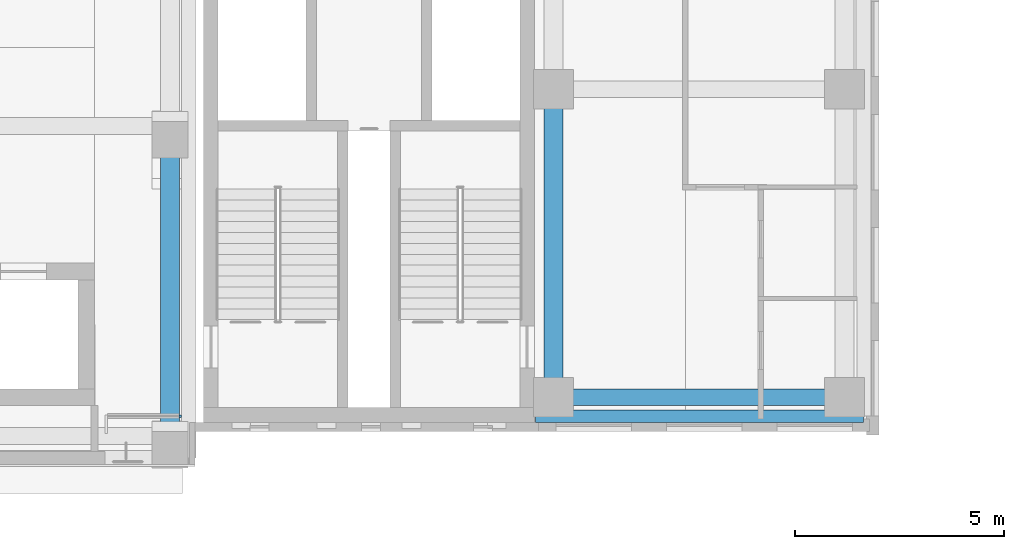
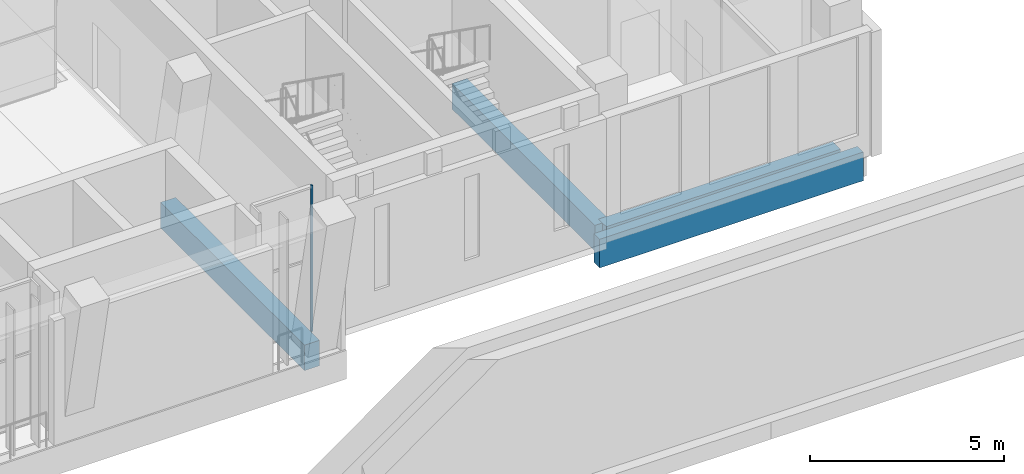
# One storey, part 16 of 92: 4 beams, 1 member, 1 element without a shape of its own.
"""IFC4 building model written with IfcOpenShell, lengths in metres."""

from ifc_helpers import new_model, si_unit, direction, frame, origin, origin_2d, place, context, subcontext, project, spatial, rectangle, extrude, material, material_profile, profile_set, type_object, element, aggregate, save


model = new_model("IFC4")

# Units and contexts
model_context = context("Model", 3, precision=1e-05, world=origin(), true_north=direction((0.0, 1.0)))
body_context = subcontext(model_context, "Body", "Model", "MODEL_VIEW")
ifc_project = project(units=[si_unit("LENGTHUNIT", "METRE"), si_unit("AREAUNIT", "SQUARE_METRE"), si_unit("VOLUMEUNIT", "CUBIC_METRE"), si_unit("PLANEANGLEUNIT", "RADIAN"), si_unit("MASSUNIT", "GRAM", prefix="KILO")], contexts=[model_context])

# Site, building, storey
site_placement = place(None, origin())
site = spatial("IfcSite", under=ifc_project, at=site_placement, CompositionType="ELEMENT")
building_placement = place(site_placement, origin())
building = spatial("IfcBuilding", under=site, at=building_placement, Name="Lantern Court Media Centre", CompositionType="ELEMENT")
storey_placement = place(building_placement, frame((0.0, 0.0, 4.800048828125)))
storey = spatial("IfcBuildingStorey", under=building, at=storey_placement, Name="L01", CompositionType="ELEMENT", Elevation=4.800048828125)

# Curtain wall, member
ifc_material_1 = material(Name="Curtain wall bay 3000")
curtain_wall_type = type_object("IfcCurtainWallType", Name="Curtain wall bay 3000", PredefinedType="NOTDEFINED", material=ifc_material_1)
curtain_wall_placement = place(storey_placement, origin())
curtain_wall = element("IfcCurtainWall", 1, at=curtain_wall_placement, inside=storey, type_object=curtain_wall_type, Name="Curtain wall S outer L01", PredefinedType="NOTDEFINED")
ifc_material_2 = material(Name="Anodised aluminium", Category="aluminium")
ifc_material_profile_1 = material_profile(ifc_material_2, rectangle(XDim=0.06005859375, YDim=0.06005859375, at=origin_2d()), Name="AL 60x60")
ifc_profile_set_1 = profile_set([ifc_material_profile_1], Name="Anodised aluminium")
member_type = type_object("IfcMemberType", Name="Curtain wall mullion 60x60", PredefinedType="MULLION", material=ifc_profile_set_1)
member_placement = place(storey_placement, frame((79.550048828125, 48.14990234375, 0.0), z_axis=(0.0, 0.0, 1.0), x_axis=(0.0, 1.0, 0.0)))
member = element("IfcMember", 2, at=member_placement, type_object=member_type, Name="CW1 mullion 2", PredefinedType="MULLION", context=body_context, shape_type="SweptSolid", body=[
    extrude(rectangle(XDim=0.06005859375, YDim=0.06005859375, at=origin_2d()), origin(), (0.0, 0.0, 1.0), 4.579833984375),
])
aggregate(curtain_wall, [member])

# Beams
ifc_material_3 = material(Name="Concrete C35", Category="concrete")
ifc_material_profile_2 = material_profile(ifc_material_3, rectangle(XDim=0.300048828125, YDim=0.89990234375, at=origin_2d()), Name="RC 300x900")
ifc_profile_set_2 = profile_set([ifc_material_profile_2], Name="Concrete C35")
beam_type_1 = type_object("IfcBeamType", Name="RC BEAM 300x900", PredefinedType="BEAM", material=ifc_profile_set_2)
beam_1_placement = place(storey_placement, frame((88.02001953125, 48.14990234375, -0.449951171875), z_axis=(1.0, 0.0, 0.0), x_axis=(0.0, 1.0, 0.0)))
element("IfcBeam", 3, at=beam_1_placement, inside=storey, type_object=beam_type_1, Name="EB-SE-L01-S", PredefinedType="BEAM", context=body_context, shape_type="SweptSolid", body=[
    extrude(rectangle(XDim=0.300048828125, YDim=0.89990234375, at=origin_2d()), origin(), (0.0, 0.0, 1.0), 7.830078125),
])
ifc_material_profile_3 = material_profile(ifc_material_3, rectangle(XDim=0.39990234375, YDim=0.800048828125, at=origin_2d()), Name="RC 400x800")
ifc_profile_set_3 = profile_set([ifc_material_profile_3], Name="Concrete C35")
beam_type_2 = type_object("IfcBeamType", Name="RC BEAM 400x800", PredefinedType="BEAM", material=ifc_profile_set_3)
beam_2_placement = place(storey_placement, frame((88.449951171875, 48.60009765625, -0.400146484375), z_axis=(1.0, 0.0, 0.0), x_axis=(0.0, 1.0, 0.0)))
element("IfcBeam", 4, at=beam_2_placement, inside=storey, type_object=beam_type_2, Name="BB-SE-L01-Y0-48", PredefinedType="BEAM", context=body_context, shape_type="SweptSolid", body=[
    extrude(rectangle(XDim=0.39990234375, YDim=0.800048828125, at=origin_2d()), origin(), (0.0, 0.0, 1.0), 6.949951171875),
])
ifc_material_profile_4 = material_profile(ifc_material_3, rectangle(XDim=0.449951171875, YDim=0.800048828125, at=origin_2d()), Name="RC 450x800")
ifc_profile_set_4 = profile_set([ifc_material_profile_4], Name="Concrete C35")
beam_type_3 = type_object("IfcBeamType", Name="RC BEAM 450x800", PredefinedType="BEAM", material=ifc_profile_set_4)
beam_3_placement = place(storey_placement, frame((88.449951171875, 48.60009765625, -0.400146484375), z_axis=(0.0, 1.0, 0.0), x_axis=(-1.0, 0.0, 0.0)))
element("IfcBeam", 5, at=beam_3_placement, inside=storey, type_object=beam_type_3, Name="BB-SE-L01-X0-88", PredefinedType="BEAM", context=body_context, shape_type="SweptSolid", body=[
    extrude(rectangle(XDim=0.449951171875, YDim=0.800048828125, at=origin_2d()), origin(), (0.0, 0.0, 1.0), 7.349853515625),
])
beam_4_placement = place(storey_placement, frame((79.300048828125, 47.683349609375, -0.400146484375), z_axis=(0.0, 1.0, 0.0), x_axis=(-1.0, 0.0, 0.0)))
element("IfcBeam", 6, at=beam_4_placement, inside=storey, type_object=beam_type_3, Name="TB-S-L01-7-1", PredefinedType="BEAM", context=body_context, shape_type="SweptSolid", body=[
    extrude(rectangle(XDim=0.449951171875, YDim=0.800048828125, at=origin_2d()), origin(), (0.0, 0.0, 1.0), 7.39990234375),
])

save(model, "model.ifc")
